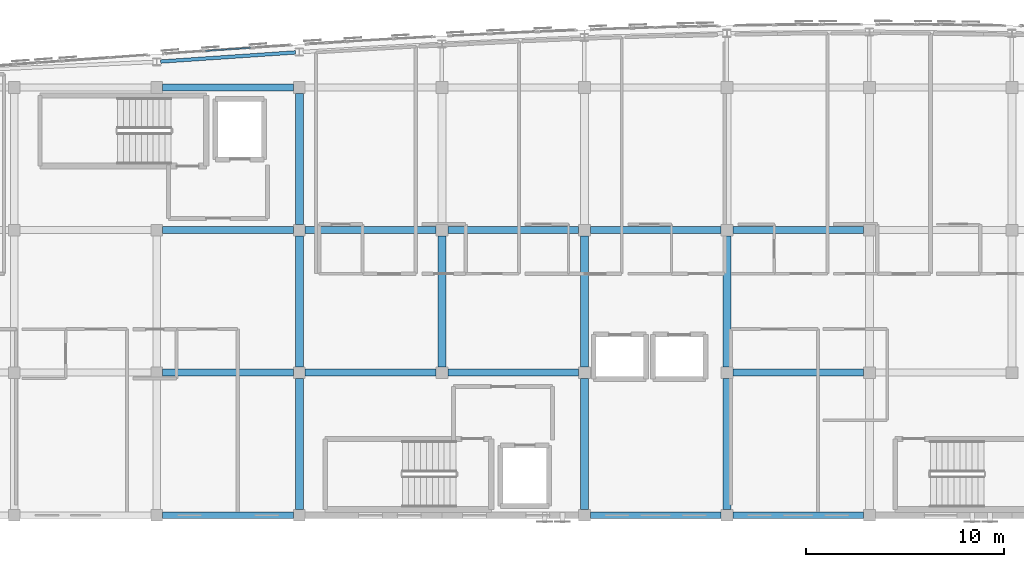
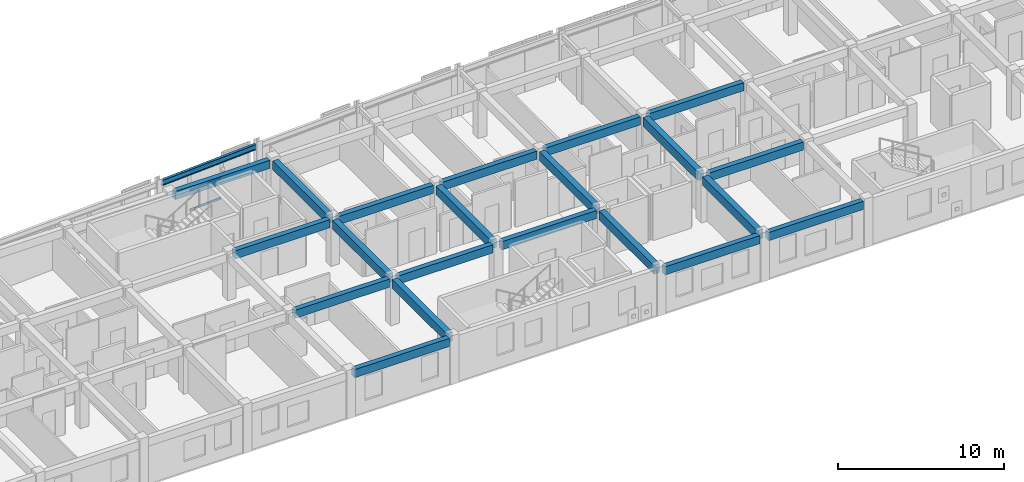
# One storey, part 9 of 41: 22 beams, 3 members, 1 element without a shape of its own.
"""IFC4 building model written with IfcOpenShell, lengths in metres."""

from ifc_helpers import new_model, si_unit, direction, frame, origin, origin_2d, place, context, subcontext, project, spatial, rectangle, hollow_rectangle, i_section, extrude, material, layer, layer_set, material_profile, profile_set, type_object, element, aggregate, save


model = new_model("IFC4")

# Units and contexts
model_context = context("Model", 3, precision=1e-05, world=origin(), true_north=direction((0.0, 1.0)))
body_context = subcontext(model_context, "Body", "Model", "MODEL_VIEW")
ifc_project = project(units=[si_unit("LENGTHUNIT", "METRE"), si_unit("AREAUNIT", "SQUARE_METRE"), si_unit("VOLUMEUNIT", "CUBIC_METRE"), si_unit("PLANEANGLEUNIT", "RADIAN"), si_unit("MASSUNIT", "GRAM", prefix="KILO")], contexts=[model_context])

# Site, building, storey
site_placement = place(None, origin())
site = spatial("IfcSite", under=ifc_project, at=site_placement, CompositionType="ELEMENT")
building_placement = place(site_placement, origin())
building = spatial("IfcBuilding", under=site, at=building_placement, Name="Carrowvane Square Congress Hotel", CompositionType="ELEMENT")
storey_placement = place(building_placement, frame((0.0, 0.0, 37.199951171875)))
storey = spatial("IfcBuildingStorey", under=building, at=storey_placement, Name="L09", CompositionType="ELEMENT", Elevation=37.199951171875)

# Beams
ifc_material_1 = material(Name="Concrete C35/45", Category="concrete")
ifc_material_profile_1 = material_profile(ifc_material_1, rectangle(XDim=0.35009765625, YDim=0.60009765625, at=origin_2d()), Name="RC 350x600")
ifc_profile_set_1 = profile_set([ifc_material_profile_1], Name="Concrete C35/45")
beam_type_1 = type_object("IfcBeamType", Name="BM-RC-350x600", PredefinedType="BEAM", material=ifc_profile_set_1)
beam_1_placement = place(storey_placement, frame((62.300048828125, 91.800048828125, 3.080078125), z_axis=(1.0, 0.0, 0.0), x_axis=(0.0, 1.0, 0.0)))
element("IfcBeam", 1, at=beam_1_placement, inside=storey, type_object=beam_type_1, Name="L10 girder N/8-9", PredefinedType="BEAM", context=body_context, shape_type="SweptSolid", body=[
    extrude(rectangle(XDim=0.35009765625, YDim=0.60009765625, at=origin_2d()), origin(), (0.0, 0.0, 1.0), 6.599853515625),
])
beam_2_placement = place(storey_placement, frame((83.89990234375, 91.800048828125, 3.080078125), z_axis=(1.0, 0.0, 0.0), x_axis=(0.0, 1.0, 0.0)))
element("IfcBeam", 2, at=beam_2_placement, inside=storey, type_object=beam_type_1, Name="L10 girder N/11-12", PredefinedType="BEAM", context=body_context, shape_type="SweptSolid", body=[
    extrude(rectangle(XDim=0.35009765625, YDim=0.60009765625, at=origin_2d()), origin(), (0.0, 0.0, 1.0), 6.60009765625),
])
for number, where, z_axis, x_axis, name in (
    (3, (91.10009765625, 91.800048828125, 3.080078125), (1.0, 0.0, 0.0), (0.0, 1.0, 0.0), "L10 girder N/12-13"),
    (4, (62.300048828125, 99.0, 3.080078125), (1.0, 0.0, 0.0), (0.0, 1.0, 0.0), "L10 girder P/8-9"),
):
    element("IfcBeam", number, at=place(storey_placement, frame(where, z_axis=z_axis, x_axis=x_axis)), inside=storey, type_object=beam_type_1, Name=name, PredefinedType="BEAM", context=body_context, shape_type="SweptSolid", body=[
        extrude(rectangle(XDim=0.35009765625, YDim=0.60009765625, at=origin_2d()), origin(), (0.0, 0.0, 1.0), 6.599853515625),
    ])
for number, where, z_axis, x_axis, name in (
    (5, (69.5, 99.0, 3.080078125), (1.0, 0.0, 0.0), (0.0, 1.0, 0.0), "L10 girder P/9-10"),
    (6, (76.699951171875, 99.0, 3.080078125), (1.0, 0.0, 0.0), (0.0, 1.0, 0.0), "L10 girder P/10-11"),
):
    element("IfcBeam", number, at=place(storey_placement, frame(where, z_axis=z_axis, x_axis=x_axis)), inside=storey, type_object=beam_type_1, Name=name, PredefinedType="BEAM", context=body_context, shape_type="SweptSolid", body=[
        extrude(rectangle(XDim=0.35009765625, YDim=0.60009765625, at=origin_2d()), origin(), (0.0, 0.0, 1.0), 6.60009765625),
    ])
for number, where, z_axis, x_axis, name in (
    (7, (91.10009765625, 99.0, 3.080078125), (1.0, 0.0, 0.0), (0.0, 1.0, 0.0), "L10 girder P/12-13"),
    (8, (62.300048828125, 106.199951171875, 3.080078125), (1.0, 0.0, 0.0), (0.0, 1.0, 0.0), "L10 girder Q/8-9"),
):
    element("IfcBeam", number, at=place(storey_placement, frame(where, z_axis=z_axis, x_axis=x_axis)), inside=storey, type_object=beam_type_1, Name=name, PredefinedType="BEAM", context=body_context, shape_type="SweptSolid", body=[
        extrude(rectangle(XDim=0.35009765625, YDim=0.60009765625, at=origin_2d()), origin(), (0.0, 0.0, 1.0), 6.599853515625),
    ])
for number, where, z_axis, x_axis, name in (
    (9, (69.5, 106.199951171875, 3.080078125), (1.0, 0.0, 0.0), (0.0, 1.0, 0.0), "L10 girder Q/9-10"),
    (10, (76.699951171875, 106.199951171875, 3.080078125), (1.0, 0.0, 0.0), (0.0, 1.0, 0.0), "L10 girder Q/10-11"),
    (11, (83.89990234375, 106.199951171875, 3.080078125), (1.0, 0.0, 0.0), (0.0, 1.0, 0.0), "L10 girder Q/11-12"),
):
    element("IfcBeam", number, at=place(storey_placement, frame(where, z_axis=z_axis, x_axis=x_axis)), inside=storey, type_object=beam_type_1, Name=name, PredefinedType="BEAM", context=body_context, shape_type="SweptSolid", body=[
        extrude(rectangle(XDim=0.35009765625, YDim=0.60009765625, at=origin_2d()), origin(), (0.0, 0.0, 1.0), 6.60009765625),
    ])
for number, where, z_axis, x_axis, name in (
    (12, (91.10009765625, 106.199951171875, 3.080078125), (1.0, 0.0, 0.0), (0.0, 1.0, 0.0), "L10 girder Q/12-13"),
    (13, (62.300048828125, 113.39990234375, 3.080078125), (1.0, 0.0, 0.0), (0.0, 1.0, 0.0), "L10 girder R/8-9"),
):
    element("IfcBeam", number, at=place(storey_placement, frame(where, z_axis=z_axis, x_axis=x_axis)), inside=storey, type_object=beam_type_1, Name=name, PredefinedType="BEAM", context=body_context, shape_type="SweptSolid", body=[
        extrude(rectangle(XDim=0.35009765625, YDim=0.60009765625, at=origin_2d()), origin(), (0.0, 0.0, 1.0), 6.599853515625),
    ])
ifc_material_2 = material(Name="Concrete C35/45", Category="concrete")
ifc_material_profile_2 = material_profile(ifc_material_2, rectangle(XDim=0.39990234375, YDim=0.64990234375, at=origin_2d()), Name="RC 400x650")
ifc_profile_set_2 = profile_set([ifc_material_profile_2], Name="Concrete C35/45")
beam_type_2 = type_object("IfcBeamType", Name="BM-RC-400x650", PredefinedType="BEAM", material=ifc_profile_set_2)
for number, where, z_axis, x_axis, name in (
    (14, (69.199951171875, 92.10009765625, 3.054931640625), (0.0, 1.0, 0.0), (-1.0, 0.0, 0.0), "L10 girder 9/N-P"),
    (15, (69.199951171875, 99.300048828125, 3.054931640625), (0.0, 1.0, 0.0), (-1.0, 0.0, 0.0), "L10 girder 9/P-Q"),
):
    element("IfcBeam", number, at=place(storey_placement, frame(where, z_axis=z_axis, x_axis=x_axis)), inside=storey, type_object=beam_type_2, Name=name, PredefinedType="BEAM", context=body_context, shape_type="SweptSolid", body=[
        extrude(rectangle(XDim=0.39990234375, YDim=0.64990234375, at=origin_2d()), origin(), (0.0, 0.0, 1.0), 6.599853515625),
    ])
beam_3_placement = place(storey_placement, frame((69.199951171875, 106.5, 3.054931640625), z_axis=(0.0, 1.0, 0.0), x_axis=(-1.0, 0.0, 0.0)))
element("IfcBeam", 16, at=beam_3_placement, inside=storey, type_object=beam_type_2, Name="L10 girder 9/Q-R", PredefinedType="BEAM", context=body_context, shape_type="SweptSolid", body=[
    extrude(rectangle(XDim=0.39990234375, YDim=0.64990234375, at=origin_2d()), origin(), (0.0, 0.0, 1.0), 6.60009765625),
])
for number, where, z_axis, x_axis, name in (
    (17, (76.39990234375, 99.300048828125, 3.054931640625), (0.0, 1.0, 0.0), (-1.0, 0.0, 0.0), "L10 girder 10/P-Q"),
    (18, (83.60009765625, 92.10009765625, 3.054931640625), (0.0, 1.0, 0.0), (-1.0, 0.0, 0.0), "L10 girder 11/N-P"),
    (19, (83.60009765625, 99.300048828125, 3.054931640625), (0.0, 1.0, 0.0), (-1.0, 0.0, 0.0), "L10 girder 11/P-Q"),
    (20, (90.800048828125, 92.10009765625, 3.054931640625), (0.0, 1.0, 0.0), (-1.0, 0.0, 0.0), "L10 girder 12/N-P"),
    (21, (90.800048828125, 99.300048828125, 3.054931640625), (0.0, 1.0, 0.0), (-1.0, 0.0, 0.0), "L10 girder 12/P-Q"),
):
    element("IfcBeam", number, at=place(storey_placement, frame(where, z_axis=z_axis, x_axis=x_axis)), inside=storey, type_object=beam_type_2, Name=name, PredefinedType="BEAM", context=body_context, shape_type="SweptSolid", body=[
        extrude(rectangle(XDim=0.39990234375, YDim=0.64990234375, at=origin_2d()), origin(), (0.0, 0.0, 1.0), 6.599853515625),
    ])
ifc_material_3 = material(Name="Steel S355", Category="steel")
ifc_material_profile_3 = material_profile(ifc_material_3, i_section(OverallWidth=0.1787109375, OverallDepth=0.409423828125, WebThickness=0.0087890625, FlangeThickness=0.014404296875, FilletRadius=0.01025390625, at=origin_2d()), Name="UKB 406x178x67")
ifc_profile_set_3 = profile_set([ifc_material_profile_3], Name="Steel S355")
beam_type_3 = type_object("IfcBeamType", Name="BM-ST-UKB406", PredefinedType="BEAM", material=ifc_profile_set_3)
beam_4_placement = place(storey_placement, frame((62.197021484375, 114.71923828125, 3.17529296875), z_axis=(0.99770720425, 0.067678169216, 0.0), x_axis=(-0.067678169216, 0.99770720425, 0.0)))
element("IfcBeam", 22, at=beam_4_placement, inside=storey, type_object=beam_type_3, Name="L10 curved north spandrel", PredefinedType="BEAM", context=body_context, shape_type="SweptSolid", body=[
    extrude(i_section(OverallWidth=0.1787109375, OverallDepth=0.409423828125, WebThickness=0.0087890625, FlangeThickness=0.014404296875, FilletRadius=0.01025390625, at=origin_2d()), origin(), (0.0, 0.0, 1.0), 6.821533203125),
])

# Curtain wall, members
ifc_material_4 = material(Name="Anodised aluminium", Category="aluminium")
ifc_layer = layer(ifc_material_4, 0.221923828125)
ifc_layer_set = layer_set([ifc_layer], Name="Anodised aluminium")
curtain_wall_type = type_object("IfcCurtainWallType", Name="CW-SYS-6", PredefinedType="NOTDEFINED", material=ifc_layer_set)
curtain_wall_placement = place(storey_placement, origin())
curtain_wall = element("IfcCurtainWall", 23, at=curtain_wall_placement, inside=storey, type_object=curtain_wall_type, Name="L09 unitised curtain wall 517", PredefinedType="NOTDEFINED")
ifc_material_5 = material(Name="Anodised aluminium", Category="aluminium")
ifc_material_profile_4 = material_profile(ifc_material_5, hollow_rectangle(XDim=0.070068359375, YDim=0.14990234375, WallThickness=0.0048828125, at=origin_2d()), Name="CW-TR 70x150x5")
ifc_profile_set_4 = profile_set([ifc_material_profile_4], Name="Anodised aluminium")
member_type = type_object("IfcMemberType", Name="CW-TRN-2", PredefinedType="USERDEFINED", material=ifc_profile_set_4)
member_1_placement = place(storey_placement, frame((64.4697265625, 115.258544921875, 0.03515625), z_axis=(0.997700448763, 0.067777684661, 0.0), x_axis=(-0.067777684661, 0.997700448763, 0.0)))
member_1 = element("IfcMember", 24, at=member_1_placement, type_object=member_type, Name="CW-6 transom 1.1", ObjectType="TRANSOM", PredefinedType="USERDEFINED", context=body_context, shape_type="SweptSolid", body=[
    extrude(hollow_rectangle(XDim=0.070068359375, YDim=0.14990234375, WallThickness=0.0048828125, at=origin_2d()), origin(), (0.0, 0.0, 1.0), 2.265625),
])
member_2_placement = place(storey_placement, frame((64.4697265625, 115.258544921875, 1.477783203125), z_axis=(0.997700448763, 0.067777684661, 0.0), x_axis=(-0.067777684661, 0.997700448763, 0.0)))
member_2 = element("IfcMember", 25, at=member_2_placement, type_object=member_type, Name="CW-6 transom 1.2", ObjectType="TRANSOM", PredefinedType="USERDEFINED", context=body_context, shape_type="SweptSolid", body=[
    extrude(hollow_rectangle(XDim=0.070068359375, YDim=0.14990234375, WallThickness=0.0048828125, at=origin_2d()), origin(), (0.0, 0.0, 1.0), 2.265625),
])
member_3_placement = place(storey_placement, frame((64.4697265625, 115.258544921875, 2.920654296875), z_axis=(0.997700448763, 0.067777684661, 0.0), x_axis=(-0.067777684661, 0.997700448763, 0.0)))
member_3 = element("IfcMember", 26, at=member_3_placement, type_object=member_type, Name="CW-6 transom 1.3", ObjectType="TRANSOM", PredefinedType="USERDEFINED", context=body_context, shape_type="SweptSolid", body=[
    extrude(hollow_rectangle(XDim=0.070068359375, YDim=0.14990234375, WallThickness=0.0048828125, at=origin_2d()), origin(), (0.0, 0.0, 1.0), 2.265625),
])
aggregate(curtain_wall, [member_1, member_2, member_3])

save(model, "model.ifc")
